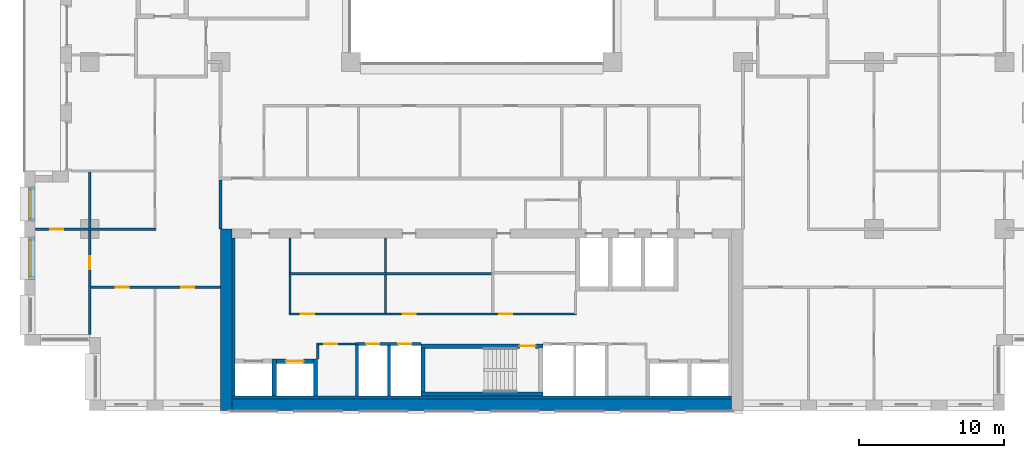
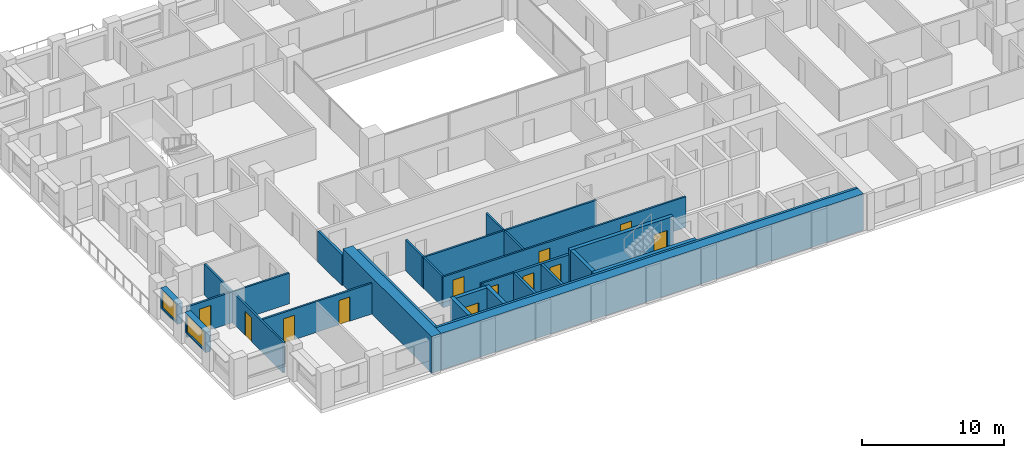
# One storey, part 8 of 17: 28 walls, 12 doors, 2 windows, 14 openings.
"""IFC4 building model written with IfcOpenShell, lengths in metres."""

from ifc_helpers import new_model, si_unit, direction, frame, frame_2d, origin, place, context, subcontext, project, spatial, rectangle, extrude, material, layer, layer_set, type_object, element, fill, save


model = new_model("IFC4")

# Units and contexts
model_context = context("Model", 3, precision=1e-05, world=origin(), true_north=direction((0.0, 1.0)))
body_context = subcontext(model_context, "Body", "Model", "MODEL_VIEW")
ifc_project = project(units=[si_unit("LENGTHUNIT", "METRE"), si_unit("AREAUNIT", "SQUARE_METRE"), si_unit("VOLUMEUNIT", "CUBIC_METRE"), si_unit("PLANEANGLEUNIT", "RADIAN"), si_unit("MASSUNIT", "GRAM", prefix="KILO")], contexts=[model_context])

# Site, building, storey
site_placement = place(None, origin())
site = spatial("IfcSite", under=ifc_project, at=site_placement, CompositionType="ELEMENT")
building_placement = place(site_placement, origin())
building = spatial("IfcBuilding", under=site, at=building_placement, Name="Brigalow Station Residences", CompositionType="ELEMENT")
storey_placement = place(building_placement, frame((0.0, 0.0, 127.64990234375)))
storey = spatial("IfcBuildingStorey", under=building, at=storey_placement, Name="L37", CompositionType="ELEMENT", Elevation=127.64990234375)

# Wall, opening, window
ifc_material_1 = material(Name="Clay brick masonry", Category="masonry")
ifc_layer_1 = layer(ifc_material_1, 0.449951171875)
ifc_layer_set_1 = layer_set([ifc_layer_1], Name="BRICK INFILL WALL 450")
wall_type_1 = type_object("IfcWallType", Name="BRICK INFILL WALL 450", PredefinedType="SOLIDWALL", material=ifc_layer_set_1)
wall_1_placement = place(storey_placement, frame((5.02490234375, 15.39990234375, 0.900146484375), z_axis=(0.0, 0.0, 1.0), x_axis=(0.0, -1.0, 0.0)))
wall_1 = element("IfcWall", 1, at=wall_1_placement, inside=storey, type_object=wall_type_1, Name="L37/ewall/W-L37-47", PredefinedType="SOLIDWALL", context=body_context, shape_type="SweptSolid", body=[
    extrude(rectangle(XDim=2.349853515625, YDim=0.449951171875, at=frame_2d((1.1748046875, 0.0))), origin(), (0.0, 0.0, 1.0), 1.75),
])
opening_1_placement = place(wall_1_placement, frame((0.175048828125, 0.0, 0.14990234375)))
opening_1 = element("IfcOpeningElement", 2, at=opening_1_placement, cuts=wall_1, Name="Opening WT-7", PredefinedType="OPENING", context=body_context, shape_type="SweptSolid", body=[
    extrude(rectangle(XDim=2.0, YDim=1.5, at=frame_2d((1.0, 0.75))), frame((0.0, 0.23486328125, 0.0), z_axis=(0.0, -1.0, 0.0), x_axis=(1.0, 0.0, 0.0)), (0.0, 0.0, 1.0), 0.469970703125),
])
ifc_material_2 = material(Name="Anodised aluminium frame with double glazing", Category="aluminium")
window_type_1 = type_object("IfcWindowType", Name="WINDOW 2000x1500", PartitioningType="SINGLE_PANEL", PredefinedType="WINDOW", material=ifc_material_2)
window_1_placement = place(opening_1_placement, origin())
window_1 = element("IfcWindow", 3, at=window_1_placement, inside=storey, type_object=window_type_1, Name="L37/window/W-L37-47", OverallHeight=1.5, OverallWidth=2.0, PartitioningType="SINGLE_PANEL", PredefinedType="WINDOW", context=body_context, shape_type="SweptSolid", body=[
    extrude(rectangle(XDim=2.0, YDim=1.5, at=frame_2d((1.0, 0.75))), frame((0.0, -0.06494140625, 0.0), z_axis=(0.0, -1.0, 0.0), x_axis=(1.0, 0.0, 0.0)), (0.0, 0.0, 1.0), 0.06005859375),
])
fill(opening_1, window_1)

wall_2_placement = place(storey_placement, frame((5.02490234375, 11.949951171875, 0.900146484375), z_axis=(0.0, 0.0, 1.0), x_axis=(0.0, -1.0, 0.0)))
wall_2 = element("IfcWall", 4, at=wall_2_placement, inside=storey, type_object=wall_type_1, Name="L37/ewall/W-L37-48", PredefinedType="SOLIDWALL", context=body_context, shape_type="SweptSolid", body=[
    extrude(rectangle(XDim=2.89990234375, YDim=0.449951171875, at=frame_2d((1.449951171875, 0.0))), origin(), (0.0, 0.0, 1.0), 1.75),
])
opening_2_placement = place(wall_2_placement, frame((0.199951171875, 0.0, 0.14990234375)))
opening_2 = element("IfcOpeningElement", 5, at=opening_2_placement, cuts=wall_2, Name="Opening WT-5", PredefinedType="OPENING", context=body_context, shape_type="SweptSolid", body=[
    extrude(rectangle(XDim=2.5, YDim=1.5, at=frame_2d((1.25, 0.75))), frame((0.0, 0.23486328125, 0.0), z_axis=(0.0, -1.0, 0.0), x_axis=(1.0, 0.0, 0.0)), (0.0, 0.0, 1.0), 0.469970703125),
])
ifc_material_3 = material(Name="Anodised aluminium frame with double glazing", Category="aluminium")
window_type_2 = type_object("IfcWindowType", Name="WINDOW 2500x1500", PartitioningType="SINGLE_PANEL", PredefinedType="WINDOW", material=ifc_material_3)
window_2_placement = place(opening_2_placement, origin())
window_2 = element("IfcWindow", 6, at=window_2_placement, inside=storey, type_object=window_type_2, Name="L37/window/W-L37-48", OverallHeight=1.5, OverallWidth=2.5, PartitioningType="SINGLE_PANEL", PredefinedType="WINDOW", context=body_context, shape_type="SweptSolid", body=[
    extrude(rectangle(XDim=2.5, YDim=1.5, at=frame_2d((1.25, 0.75))), frame((0.0, -0.06494140625, 0.0), z_axis=(0.0, -1.0, 0.0), x_axis=(1.0, 0.0, 0.0)), (0.0, 0.0, 1.0), 0.06005859375),
])
fill(opening_2, window_2)

# Walls
ifc_material_4 = material(Name="Concrete C65", Category="concrete")
ifc_layer_2 = layer(ifc_material_4, 0.199951171875)
ifc_layer_set_2 = layer_set([ifc_layer_2], Name="CORE SHEAR WALL 200 C65")
wall_type_2 = type_object("IfcWallType", Name="CORE SHEAR WALL 200 C65", PredefinedType="SHEAR", material=ifc_layer_set_2)
wall_3_placement = place(storey_placement, frame((18.89990234375, 1.0, 0.0), z_axis=(0.0, 0.0, 1.0), x_axis=(0.0, 1.0, 0.0)))
element("IfcWall", 7, at=wall_3_placement, inside=storey, type_object=wall_type_2, Name="CORE WALL LIN-W L37", PredefinedType="SHEAR", context=body_context, shape_type="SweptSolid", body=[
    extrude(rectangle(XDim=10.89990234375, YDim=0.199951171875, at=frame_2d((5.449951171875, 0.0))), origin(), (0.0, 0.0, 1.0), 3.150146484375),
])
wall_4_placement = place(storey_placement, frame((18.800048828125, 0.89990234375, 0.0), z_axis=(0.0, 0.0, 1.0), x_axis=(1.0, 0.0, 0.0)))
element("IfcWall", 8, at=wall_4_placement, inside=storey, type_object=wall_type_2, Name="CORE WALL LIN-S L37", PredefinedType="SHEAR", context=body_context, shape_type="SweptSolid", body=[
    extrude(rectangle(XDim=34.39990234375, YDim=0.199951171875, at=frame_2d((17.199951171875, 0.0))), origin(), (0.0, 0.0, 1.0), 3.150146484375),
])

# Wall, opening, door
ifc_material_5 = material(Name="Concrete C65", Category="concrete")
ifc_layer_3 = layer(ifc_material_5, 0.300048828125)
ifc_layer_set_3 = layer_set([ifc_layer_3], Name="CORE SHEAR WALL 300 C65")
wall_type_3 = type_object("IfcWallType", Name="CORE SHEAR WALL 300 C65", PredefinedType="SHEAR", material=ifc_layer_set_3)
wall_5_placement = place(storey_placement, frame((21.85009765625, 3.39990234375, 0.0), z_axis=(0.0, 0.0, 1.0), x_axis=(1.0, 0.0, 0.0)))
wall_5 = element("IfcWall", 9, at=wall_5_placement, inside=storey, type_object=wall_type_3, Name="CORE WALL SH-C2-N L37", PredefinedType="SHEAR", context=body_context, shape_type="SweptSolid", body=[
    extrude(rectangle(XDim=2.5498046875, YDim=0.300048828125, at=frame_2d((1.27490234375, 0.0))), origin(), (0.0, 0.0, 1.0), 3.150146484375),
])
opening_3_placement = place(wall_5_placement, frame((0.675048828125, 0.0, 0.0)))
opening_3 = element("IfcOpeningElement", 10, at=opening_3_placement, cuts=wall_5, Name="Opening LD-LB2", PredefinedType="OPENING", context=body_context, shape_type="SweptSolid", body=[
    extrude(rectangle(XDim=1.199951171875, YDim=2.10009765625, at=frame_2d((0.60009765625, 1.050048828125))), frame((0.0, 0.16015625, 0.0), z_axis=(0.0, -1.0, 0.0), x_axis=(1.0, 0.0, 0.0)), (0.0, 0.0, 1.0), 0.320068359375),
])
ifc_material_6 = material(Name="Stainless steel sliding door leaves", Category="steel")
door_type_1 = type_object("IfcDoorType", Name="LIFT LANDING DOOR 1200 x 2100", OperationType="DOUBLE_DOOR_SLIDING", PredefinedType="DOOR", material=ifc_material_6)
door_1_placement = place(opening_3_placement, origin())
door_1 = element("IfcDoor", 11, at=door_1_placement, inside=storey, type_object=door_type_1, Name="LANDING DOOR LB2", OperationType="DOUBLE_DOOR_SLIDING", OverallHeight=2.10009765625, OverallWidth=1.199951171875, PredefinedType="DOOR", context=body_context, shape_type="SweptSolid", body=[
    extrude(rectangle(XDim=1.199951171875, YDim=2.10009765625, at=frame_2d((0.60009765625, 1.050048828125))), frame((0.0, 0.02490234375, 0.0), z_axis=(0.0, -1.0, 0.0), x_axis=(1.0, 0.0, 0.0)), (0.0, 0.0, 1.0), 0.050048828125),
])
fill(opening_3, door_1)

# Walls
for number, where, z_axis, x_axis, name in (
    (12, (21.699951171875, 1.0, 0.0), (0.0, 0.0, 1.0), (0.0, 1.0, 0.0), "CORE WALL SH-C2-W L37"),
    (13, (24.550048828125, 1.0, 0.0), (0.0, 0.0, 1.0), (0.0, 1.0, 0.0), "CORE WALL SH-C2-E L37"),
):
    element("IfcWall", number, at=place(storey_placement, frame(where, z_axis=z_axis, x_axis=x_axis)), inside=storey, type_object=wall_type_3, Name=name, PredefinedType="SHEAR", context=body_context, shape_type="SweptSolid", body=[
        extrude(rectangle(XDim=2.550048828125, YDim=0.300048828125, at=frame_2d((1.27490234375, 0.0))), origin(), (0.0, 0.0, 1.0), 3.150146484375),
    ])
wall_6_placement = place(storey_placement, frame((31.800048828125, 1.14990234375, 0.0), z_axis=(0.0, 0.0, 1.0), x_axis=(1.0, 0.0, 0.0)))
element("IfcWall", 14, at=wall_6_placement, inside=storey, type_object=wall_type_3, Name="CORE WALL ST-S2-S L37", PredefinedType="SHEAR", context=body_context, shape_type="SweptSolid", body=[
    extrude(rectangle(XDim=8.39990234375, YDim=0.300048828125, at=frame_2d((4.199951171875, 0.0))), origin(), (0.0, 0.0, 1.0), 3.150146484375),
])

# Wall, opening, door
wall_7_placement = place(storey_placement, frame((31.800048828125, 4.449951171875, 0.0), z_axis=(0.0, 0.0, 1.0), x_axis=(1.0, 0.0, 0.0)))
wall_7 = element("IfcWall", 15, at=wall_7_placement, inside=storey, type_object=wall_type_3, Name="CORE WALL ST-S2-N L37", PredefinedType="SHEAR", context=body_context, shape_type="SweptSolid", body=[
    extrude(rectangle(XDim=8.39990234375, YDim=0.300048828125, at=frame_2d((4.199951171875, 0.0))), origin(), (0.0, 0.0, 1.0), 3.150146484375),
])
opening_4_placement = place(wall_7_placement, frame((6.800048828125, 0.0, 0.0)))
opening_4 = element("IfcOpeningElement", 16, at=opening_4_placement, cuts=wall_7, Name="Opening D-5001", PredefinedType="OPENING", context=body_context, shape_type="SweptSolid", body=[
    extrude(rectangle(XDim=1.10009765625, YDim=2.10009765625, at=frame_2d((0.550048828125, 1.050048828125))), frame((0.0, 0.16015625, 0.0), z_axis=(0.0, -1.0, 0.0), x_axis=(1.0, 0.0, 0.0)), (0.0, 0.0, 1.0), 0.320068359375),
])
ifc_material_7 = material(Name="Steel fire door leaf in steel frame", Category="steel")
door_type_2 = type_object("IfcDoorType", Name="STAIR DOOR 1100 x 2100 FD60S", OperationType="SINGLE_SWING_LEFT", PredefinedType="DOOR", material=ifc_material_7)
door_2_placement = place(opening_4_placement, frame((1.10009765625, 0.0, 0.0), z_axis=(0.0, 0.0, 1.0), x_axis=(-1.0, 0.0, 0.0)))
door_2 = element("IfcDoor", 17, at=door_2_placement, inside=storey, type_object=door_type_2, Name="D-5001", OperationType="SINGLE_SWING_LEFT", OverallHeight=2.10009765625, OverallWidth=1.10009765625, PredefinedType="DOOR", context=body_context, shape_type="SweptSolid", body=[
    extrude(rectangle(XDim=1.10009765625, YDim=2.10009765625, at=frame_2d((0.550048828125, 1.050048828125))), frame((0.0, 0.02490234375, 0.0), z_axis=(0.0, -1.0, 0.0), x_axis=(1.0, 0.0, 0.0)), (0.0, 0.0, 1.0), 0.050048828125),
])
fill(opening_4, door_2)

# Walls
wall_8_placement = place(storey_placement, frame((31.949951171875, 1.300048828125, 0.0), z_axis=(0.0, 0.0, 1.0), x_axis=(0.0, 1.0, 0.0)))
element("IfcWall", 18, at=wall_8_placement, inside=storey, type_object=wall_type_3, Name="CORE WALL ST-S2-W L37", PredefinedType="SHEAR", context=body_context, shape_type="SweptSolid", body=[
    extrude(rectangle(XDim=3.0, YDim=0.300048828125, at=frame_2d((1.5, 0.0))), origin(), (0.0, 0.0, 1.0), 3.150146484375),
])
ifc_material_8 = material(Name="Concrete C65", Category="concrete")
ifc_layer_4 = layer(ifc_material_8, 0.800048828125)
ifc_layer_set_4 = layer_set([ifc_layer_4], Name="CORE SHEAR WALL 800 C65")
wall_type_4 = type_object("IfcWallType", Name="CORE SHEAR WALL 800 C65", PredefinedType="SHEAR", material=ifc_layer_set_4)
wall_9_placement = place(storey_placement, frame((18.39990234375, 0.0, 0.0), z_axis=(0.0, 0.0, 1.0), x_axis=(0.0, 1.0, 0.0)))
element("IfcWall", 19, at=wall_9_placement, inside=storey, type_object=wall_type_4, Name="CORE WALL OUT-W L37", PredefinedType="SHEAR", context=body_context, shape_type="SweptSolid", body=[
    extrude(rectangle(XDim=12.5, YDim=0.800048828125, at=frame_2d((6.25, 0.0))), origin(), (0.0, 0.0, 1.0), 3.150146484375),
])
wall_10_placement = place(storey_placement, frame((18.800048828125, 0.39990234375, 0.0), z_axis=(0.0, 0.0, 1.0), x_axis=(1.0, 0.0, 0.0)))
element("IfcWall", 20, at=wall_10_placement, inside=storey, type_object=wall_type_4, Name="CORE WALL OUT-S L37", PredefinedType="SHEAR", context=body_context, shape_type="SweptSolid", body=[
    extrude(rectangle(XDim=34.39990234375, YDim=0.800048828125, at=frame_2d((17.199951171875, 0.0))), origin(), (0.0, 0.0, 1.0), 3.150146484375),
])

# Wall, openings, doors
ifc_material_9 = material(Name="Concrete blockwork", Category="masonry")
ifc_layer_5 = layer(ifc_material_9, 0.199951171875)
ifc_layer_set_5 = layer_set([ifc_layer_5], Name="FIRE RATED CORE PARTITION 200")
wall_type_5 = type_object("IfcWallType", Name="FIRE RATED CORE PARTITION 200", PredefinedType="PARTITIONING", material=ifc_layer_set_5)
wall_11_placement = place(storey_placement, frame((27.300048828125, 4.60009765625, 0.0), z_axis=(0.0, 0.0, 1.0), x_axis=(1.0, 0.0, 0.0)))
wall_11 = element("IfcWall", 21, at=wall_11_placement, inside=storey, type_object=wall_type_5, Name="PW-5017", PredefinedType="PARTITIONING", context=body_context, shape_type="SweptSolid", body=[
    extrude(rectangle(XDim=4.5, YDim=0.199951171875, at=frame_2d((2.25, 0.0))), origin(), (0.0, 0.0, 1.0), 2.650146484375),
])
opening_5_placement = place(wall_11_placement, frame((0.75, 0.0, 0.0)))
opening_5 = element("IfcOpeningElement", 22, at=opening_5_placement, cuts=wall_11, Name="Opening D-5007", PredefinedType="OPENING", context=body_context, shape_type="SweptSolid", body=[
    extrude(rectangle(XDim=0.89990234375, YDim=2.10009765625, at=frame_2d((0.449951171875, 1.050048828125))), frame((0.0, 0.10986328125, 0.0), z_axis=(0.0, -1.0, 0.0), x_axis=(1.0, 0.0, 0.0)), (0.0, 0.0, 1.0), 0.219970703125),
])
opening_6_placement = place(wall_11_placement, frame((2.949951171875, 0.0, 0.0)))
opening_6 = element("IfcOpeningElement", 23, at=opening_6_placement, cuts=wall_11, Name="Opening D-5008", PredefinedType="OPENING", context=body_context, shape_type="SweptSolid", body=[
    extrude(rectangle(XDim=0.89990234375, YDim=2.10009765625, at=frame_2d((0.449951171875, 1.050048828125))), frame((0.0, 0.10986328125, 0.0), z_axis=(0.0, -1.0, 0.0), x_axis=(1.0, 0.0, 0.0)), (0.0, 0.0, 1.0), 0.219970703125),
])
ifc_material_10 = material(Name="Steel fire door leaf in steel frame", Category="steel")
door_type_3 = type_object("IfcDoorType", Name="RISER ACCESS DOOR 900 x 2100 FD120", OperationType="SINGLE_SWING_LEFT", PredefinedType="DOOR", material=ifc_material_10)
door_3_placement = place(opening_5_placement, frame((0.89990234375, 0.0, 0.0), z_axis=(0.0, 0.0, 1.0), x_axis=(-1.0, 0.0, 0.0)))
door_3 = element("IfcDoor", 24, at=door_3_placement, inside=storey, type_object=door_type_3, Name="D-5007", OperationType="SINGLE_SWING_RIGHT", OverallHeight=2.10009765625, OverallWidth=0.89990234375, PredefinedType="DOOR", context=body_context, shape_type="SweptSolid", body=[
    extrude(rectangle(XDim=0.89990234375, YDim=2.10009765625, at=frame_2d((0.449951171875, 1.050048828125))), frame((0.0, 0.02490234375, 0.0), z_axis=(0.0, -1.0, 0.0), x_axis=(1.0, 0.0, 0.0)), (0.0, 0.0, 1.0), 0.050048828125),
])
fill(opening_5, door_3)
door_4_placement = place(opening_6_placement, frame((0.89990234375, 0.0, 0.0), z_axis=(0.0, 0.0, 1.0), x_axis=(-1.0, 0.0, 0.0)))
door_4 = element("IfcDoor", 25, at=door_4_placement, inside=storey, type_object=door_type_3, Name="D-5008", OperationType="SINGLE_SWING_RIGHT", OverallHeight=2.10009765625, OverallWidth=0.89990234375, PredefinedType="DOOR", context=body_context, shape_type="SweptSolid", body=[
    extrude(rectangle(XDim=0.89990234375, YDim=2.10009765625, at=frame_2d((0.449951171875, 1.050048828125))), frame((0.0, 0.02490234375, 0.0), z_axis=(0.0, -1.0, 0.0), x_axis=(1.0, 0.0, 0.0)), (0.0, 0.0, 1.0), 0.050048828125),
])
fill(opening_6, door_4)

# Walls
wall_12_placement = place(storey_placement, frame((27.39990234375, 1.0, 0.0), z_axis=(0.0, 0.0, 1.0), x_axis=(0.0, 1.0, 0.0)))
element("IfcWall", 26, at=wall_12_placement, inside=storey, type_object=wall_type_5, Name="PW-5027", PredefinedType="PARTITIONING", context=body_context, shape_type="SweptSolid", body=[
    extrude(rectangle(XDim=3.52490234375, YDim=0.199951171875, at=frame_2d((1.762451171875, 0.0))), origin(), (0.0, 0.0, 1.0), 2.650146484375),
])
wall_13_placement = place(storey_placement, frame((29.60009765625, 1.0, 0.0), z_axis=(0.0, 0.0, 1.0), x_axis=(0.0, 1.0, 0.0)))
element("IfcWall", 27, at=wall_13_placement, inside=storey, type_object=wall_type_5, Name="PW-5006", PredefinedType="PARTITIONING", context=body_context, shape_type="SweptSolid", body=[
    extrude(rectangle(XDim=3.5, YDim=0.199951171875, at=frame_2d((1.75, 0.0))), origin(), (0.0, 0.0, 1.0), 2.650146484375),
])
wall_14_placement = place(storey_placement, frame((18.0, 12.5, 0.0), z_axis=(0.0, 0.0, 1.0), x_axis=(0.0, 1.0, 0.0)))
element("IfcWall", 28, at=wall_14_placement, inside=storey, type_object=wall_type_5, Name="PW-5013", PredefinedType="PARTITIONING", context=body_context, shape_type="SweptSolid", body=[
    extrude(rectangle(XDim=3.39990234375, YDim=0.199951171875, at=frame_2d((1.699951171875, 0.0))), origin(), (0.0, 0.0, 1.0), 2.650146484375),
])

# Wall, opening, door
ifc_material_11 = material(Name="Plasterboard on steel stud partition", Category="steel")
ifc_layer_6 = layer(ifc_material_11, 0.14990234375)
ifc_layer_set_6 = layer_set([ifc_layer_6], Name="FLAT PARTITION 150")
wall_type_6 = type_object("IfcWallType", Name="FLAT PARTITION 150", PredefinedType="PARTITIONING", material=ifc_layer_set_6)
wall_15_placement = place(storey_placement, frame((5.25, 12.5, 0.0), z_axis=(0.0, 0.0, 1.0), x_axis=(1.0, 0.0, 0.0)))
wall_15 = element("IfcWall", 29, at=wall_15_placement, inside=storey, type_object=wall_type_6, Name="PW-2F10", PredefinedType="PARTITIONING", context=body_context, shape_type="SweptSolid", body=[
    extrude(rectangle(XDim=8.324951171875, YDim=0.14990234375, at=frame_2d((4.16259765625, 0.0))), origin(), (0.0, 0.0, 1.0), 2.650146484375),
])
opening_7_placement = place(wall_15_placement, frame((1.02490234375, 0.0, 0.0)))
opening_7 = element("IfcOpeningElement", 30, at=opening_7_placement, cuts=wall_15, Name="Opening D-2F05", PredefinedType="OPENING", context=body_context, shape_type="SweptSolid", body=[
    extrude(rectangle(XDim=0.89990234375, YDim=2.10009765625, at=frame_2d((0.449951171875, 1.050048828125))), frame((0.0, 0.0849609375, 0.0), z_axis=(0.0, -1.0, 0.0), x_axis=(1.0, 0.0, 0.0)), (0.0, 0.0, 1.0), 0.169921875),
])
ifc_material_12 = material(Name="Solid-core timber door leaf", Category="wood")
door_type_4 = type_object("IfcDoorType", Name="INTERNAL DOOR 900 x 2100", OperationType="SINGLE_SWING_LEFT", PredefinedType="DOOR", material=ifc_material_12)
door_5_placement = place(opening_7_placement, origin())
door_5 = element("IfcDoor", 31, at=door_5_placement, inside=storey, type_object=door_type_4, Name="D-2F05", OperationType="SINGLE_SWING_LEFT", OverallHeight=2.10009765625, OverallWidth=0.89990234375, PredefinedType="DOOR", context=body_context, shape_type="SweptSolid", body=[
    extrude(rectangle(XDim=0.89990234375, YDim=2.10009765625, at=frame_2d((0.449951171875, 1.050048828125))), frame((0.0, 0.02490234375, 0.0), z_axis=(0.0, -1.0, 0.0), x_axis=(1.0, 0.0, 0.0)), (0.0, 0.0, 1.0), 0.050048828125),
])
fill(opening_7, door_5)

# Wall, openings, doors
wall_16_placement = place(storey_placement, frame((9.074951171875, 8.5, 0.0), z_axis=(0.0, 0.0, 1.0), x_axis=(1.0, 0.0, 0.0)))
wall_16 = element("IfcWall", 32, at=wall_16_placement, inside=storey, type_object=wall_type_6, Name="PW-2F15", PredefinedType="PARTITIONING", context=body_context, shape_type="SweptSolid", body=[
    extrude(rectangle(XDim=8.925048828125, YDim=0.14990234375, at=frame_2d((4.46240234375, 0.0))), origin(), (0.0, 0.0, 1.0), 2.650146484375),
])
opening_8_placement = place(wall_16_placement, frame((1.72509765625, 0.0, 0.0)))
opening_8 = element("IfcOpeningElement", 33, at=opening_8_placement, cuts=wall_16, Name="Opening D-2F06", PredefinedType="OPENING", context=body_context, shape_type="SweptSolid", body=[
    extrude(rectangle(XDim=0.89990234375, YDim=2.10009765625, at=frame_2d((0.449951171875, 1.050048828125))), frame((0.0, 0.0849609375, 0.0), z_axis=(0.0, -1.0, 0.0), x_axis=(1.0, 0.0, 0.0)), (0.0, 0.0, 1.0), 0.169921875),
])
opening_9_placement = place(wall_16_placement, frame((6.22509765625, 0.0, 0.0)))
opening_9 = element("IfcOpeningElement", 34, at=opening_9_placement, cuts=wall_16, Name="Opening D-2F07", PredefinedType="OPENING", context=body_context, shape_type="SweptSolid", body=[
    extrude(rectangle(XDim=0.89990234375, YDim=2.10009765625, at=frame_2d((0.449951171875, 1.050048828125))), frame((0.0, 0.0849609375, 0.0), z_axis=(0.0, -1.0, 0.0), x_axis=(1.0, 0.0, 0.0)), (0.0, 0.0, 1.0), 0.169921875),
])
door_6_placement = place(opening_8_placement, frame((0.89990234375, 0.0, 0.0), z_axis=(0.0, 0.0, 1.0), x_axis=(-1.0, 0.0, 0.0)))
door_6 = element("IfcDoor", 35, at=door_6_placement, inside=storey, type_object=door_type_4, Name="D-2F06", OperationType="SINGLE_SWING_LEFT", OverallHeight=2.10009765625, OverallWidth=0.89990234375, PredefinedType="DOOR", context=body_context, shape_type="SweptSolid", body=[
    extrude(rectangle(XDim=0.89990234375, YDim=2.10009765625, at=frame_2d((0.449951171875, 1.050048828125))), frame((0.0, 0.02490234375, 0.0), z_axis=(0.0, -1.0, 0.0), x_axis=(1.0, 0.0, 0.0)), (0.0, 0.0, 1.0), 0.050048828125),
])
fill(opening_8, door_6)
door_7_placement = place(opening_9_placement, frame((0.89990234375, 0.0, 0.0), z_axis=(0.0, 0.0, 1.0), x_axis=(-1.0, 0.0, 0.0)))
door_7 = element("IfcDoor", 36, at=door_7_placement, inside=storey, type_object=door_type_4, Name="D-2F07", OperationType="SINGLE_SWING_RIGHT", OverallHeight=2.10009765625, OverallWidth=0.89990234375, PredefinedType="DOOR", context=body_context, shape_type="SweptSolid", body=[
    extrude(rectangle(XDim=0.89990234375, YDim=2.10009765625, at=frame_2d((0.449951171875, 1.050048828125))), frame((0.0, 0.02490234375, 0.0), z_axis=(0.0, -1.0, 0.0), x_axis=(1.0, 0.0, 0.0)), (0.0, 0.0, 1.0), 0.050048828125),
])
fill(opening_9, door_7)

# Wall, opening, door
wall_17_placement = place(storey_placement, frame((9.0, 5.25, 0.0), z_axis=(0.0, 0.0, 1.0), x_axis=(0.0, 1.0, 0.0)))
wall_17 = element("IfcWall", 37, at=wall_17_placement, inside=storey, type_object=wall_type_6, Name="PW-2F48", PredefinedType="PARTITIONING", context=body_context, shape_type="SweptSolid", body=[
    extrude(rectangle(XDim=7.175048828125, YDim=0.14990234375, at=frame_2d((3.58740234375, 0.0))), origin(), (0.0, 0.0, 1.0), 2.650146484375),
])
opening_10_placement = place(wall_17_placement, frame((4.47509765625, 0.0, 0.0)))
opening_10 = element("IfcOpeningElement", 38, at=opening_10_placement, cuts=wall_17, Name="Opening D-2F04", PredefinedType="OPENING", context=body_context, shape_type="SweptSolid", body=[
    extrude(rectangle(XDim=0.89990234375, YDim=2.10009765625, at=frame_2d((0.449951171875, 1.050048828125))), frame((0.0, 0.0849609375, 0.0), z_axis=(0.0, -1.0, 0.0), x_axis=(1.0, 0.0, 0.0)), (0.0, 0.0, 1.0), 0.169921875),
])
door_8_placement = place(opening_10_placement, origin())
door_8 = element("IfcDoor", 39, at=door_8_placement, inside=storey, type_object=door_type_4, Name="D-2F04", OperationType="SINGLE_SWING_RIGHT", OverallHeight=2.10009765625, OverallWidth=0.89990234375, PredefinedType="DOOR", context=body_context, shape_type="SweptSolid", body=[
    extrude(rectangle(XDim=0.89990234375, YDim=2.10009765625, at=frame_2d((0.449951171875, 1.050048828125))), frame((0.0, 0.02490234375, 0.0), z_axis=(0.0, -1.0, 0.0), x_axis=(1.0, 0.0, 0.0)), (0.0, 0.0, 1.0), 0.050048828125),
])
fill(opening_10, door_8)

# Wall
wall_18_placement = place(storey_placement, frame((9.0, 12.574951171875, 0.0), z_axis=(0.0, 0.0, 1.0), x_axis=(0.0, 1.0, 0.0)))
element("IfcWall", 40, at=wall_18_placement, inside=storey, type_object=wall_type_6, Name="PW-2F49", PredefinedType="PARTITIONING", context=body_context, shape_type="SweptSolid", body=[
    extrude(rectangle(XDim=3.85009765625, YDim=0.14990234375, at=frame_2d((1.925048828125, 0.0))), origin(), (0.0, 0.0, 1.0), 2.650146484375),
])

# Wall, opening, door
ifc_material_13 = material(Name="Plasterboard on steel studs", Category="steel")
ifc_layer_7 = layer(ifc_material_13, 0.14990234375)
ifc_layer_set_7 = layer_set([ifc_layer_7], Name="SERVICE ROOM PARTITION 150")
wall_type_7 = type_object("IfcWallType", Name="SERVICE ROOM PARTITION 150", PredefinedType="PARTITIONING", material=ifc_layer_set_7)
wall_19_placement = place(storey_placement, frame((24.625, 4.60009765625, 0.0), z_axis=(0.0, 0.0, 1.0), x_axis=(1.0, 0.0, 0.0)))
wall_19 = element("IfcWall", 41, at=wall_19_placement, inside=storey, type_object=wall_type_7, Name="PW-5155", PredefinedType="PARTITIONING", context=body_context, shape_type="SweptSolid", body=[
    extrude(rectangle(XDim=2.675048828125, YDim=0.14990234375, at=frame_2d((1.33740234375, 0.0))), origin(), (0.0, 0.0, 1.0), 2.650146484375),
])
opening_11_placement = place(wall_19_placement, frame((0.52490234375, 0.0, 0.0)))
opening_11 = element("IfcOpeningElement", 42, at=opening_11_placement, cuts=wall_19, Name="Opening D-5087", PredefinedType="OPENING", context=body_context, shape_type="SweptSolid", body=[
    extrude(rectangle(XDim=0.89990234375, YDim=2.10009765625, at=frame_2d((0.449951171875, 1.050048828125))), frame((0.0, 0.0849609375, 0.0), z_axis=(0.0, -1.0, 0.0), x_axis=(1.0, 0.0, 0.0)), (0.0, 0.0, 1.0), 0.169921875),
])
ifc_material_14 = material(Name="Steel door leaf in steel frame", Category="steel")
door_type_5 = type_object("IfcDoorType", Name="SERVICE ROOM DOOR 900 x 2100 FD60", OperationType="SINGLE_SWING_LEFT", PredefinedType="DOOR", material=ifc_material_14)
door_9_placement = place(opening_11_placement, frame((0.89990234375, 0.0, 0.0), z_axis=(0.0, 0.0, 1.0), x_axis=(-1.0, 0.0, 0.0)))
door_9 = element("IfcDoor", 43, at=door_9_placement, inside=storey, type_object=door_type_5, Name="D-5087", OperationType="SINGLE_SWING_RIGHT", OverallHeight=2.10009765625, OverallWidth=0.89990234375, PredefinedType="DOOR", context=body_context, shape_type="SweptSolid", body=[
    extrude(rectangle(XDim=0.89990234375, YDim=2.10009765625, at=frame_2d((0.449951171875, 1.050048828125))), frame((0.0, 0.02490234375, 0.0), z_axis=(0.0, -1.0, 0.0), x_axis=(1.0, 0.0, 0.0)), (0.0, 0.0, 1.0), 0.050048828125),
])
fill(opening_11, door_9)

# Wall, openings, doors
wall_20_placement = place(storey_placement, frame((22.72509765625, 6.64990234375, 0.0), z_axis=(0.0, 0.0, 1.0), x_axis=(1.0, 0.0, 0.0)))
wall_20 = element("IfcWall", 44, at=wall_20_placement, inside=storey, type_object=wall_type_7, Name="PW-5195", PredefinedType="PARTITIONING", context=body_context, shape_type="SweptSolid", body=[
    extrude(rectangle(XDim=19.7998046875, YDim=0.14990234375, at=frame_2d((9.89990234375, 0.0))), origin(), (0.0, 0.0, 1.0), 2.650146484375),
])
opening_12_placement = place(wall_20_placement, frame((0.824951171875, 0.0, 0.0)))
opening_12 = element("IfcOpeningElement", 45, at=opening_12_placement, cuts=wall_20, Name="Opening D-5110", PredefinedType="OPENING", context=body_context, shape_type="SweptSolid", body=[
    extrude(rectangle(XDim=0.89990234375, YDim=2.10009765625, at=frame_2d((0.449951171875, 1.050048828125))), frame((0.0, 0.0849609375, 0.0), z_axis=(0.0, -1.0, 0.0), x_axis=(1.0, 0.0, 0.0)), (0.0, 0.0, 1.0), 0.169921875),
])
opening_13_placement = place(wall_20_placement, frame((7.824951171875, 0.0, 0.0)))
opening_13 = element("IfcOpeningElement", 46, at=opening_13_placement, cuts=wall_20, Name="Opening D-5123", PredefinedType="OPENING", context=body_context, shape_type="SweptSolid", body=[
    extrude(rectangle(XDim=0.89990234375, YDim=2.10009765625, at=frame_2d((0.449951171875, 1.050048828125))), frame((0.0, 0.0849609375, 0.0), z_axis=(0.0, -1.0, 0.0), x_axis=(1.0, 0.0, 0.0)), (0.0, 0.0, 1.0), 0.169921875),
])
opening_14_placement = place(wall_20_placement, frame((14.47509765625, 0.0, 0.0)))
opening_14 = element("IfcOpeningElement", 47, at=opening_14_placement, cuts=wall_20, Name="Opening D-5114", PredefinedType="OPENING", context=body_context, shape_type="SweptSolid", body=[
    extrude(rectangle(XDim=0.89990234375, YDim=2.10009765625, at=frame_2d((0.449951171875, 1.050048828125))), frame((0.0, 0.0849609375, 0.0), z_axis=(0.0, -1.0, 0.0), x_axis=(1.0, 0.0, 0.0)), (0.0, 0.0, 1.0), 0.169921875),
])
door_10_placement = place(opening_12_placement, origin())
door_10 = element("IfcDoor", 48, at=door_10_placement, inside=storey, type_object=door_type_5, Name="D-5110", OperationType="SINGLE_SWING_LEFT", OverallHeight=2.10009765625, OverallWidth=0.89990234375, PredefinedType="DOOR", context=body_context, shape_type="SweptSolid", body=[
    extrude(rectangle(XDim=0.89990234375, YDim=2.10009765625, at=frame_2d((0.449951171875, 1.050048828125))), frame((0.0, 0.02490234375, 0.0), z_axis=(0.0, -1.0, 0.0), x_axis=(1.0, 0.0, 0.0)), (0.0, 0.0, 1.0), 0.050048828125),
])
fill(opening_12, door_10)
door_11_placement = place(opening_13_placement, origin())
door_11 = element("IfcDoor", 49, at=door_11_placement, inside=storey, type_object=door_type_5, Name="D-5123", OperationType="SINGLE_SWING_LEFT", OverallHeight=2.10009765625, OverallWidth=0.89990234375, PredefinedType="DOOR", context=body_context, shape_type="SweptSolid", body=[
    extrude(rectangle(XDim=0.89990234375, YDim=2.10009765625, at=frame_2d((0.449951171875, 1.050048828125))), frame((0.0, 0.02490234375, 0.0), z_axis=(0.0, -1.0, 0.0), x_axis=(1.0, 0.0, 0.0)), (0.0, 0.0, 1.0), 0.050048828125),
])
fill(opening_13, door_11)
door_12_placement = place(opening_14_placement, origin())
door_12 = element("IfcDoor", 50, at=door_12_placement, inside=storey, type_object=door_type_5, Name="D-5114", OperationType="SINGLE_SWING_LEFT", OverallHeight=2.10009765625, OverallWidth=0.89990234375, PredefinedType="DOOR", context=body_context, shape_type="SweptSolid", body=[
    extrude(rectangle(XDim=0.89990234375, YDim=2.10009765625, at=frame_2d((0.449951171875, 1.050048828125))), frame((0.0, 0.02490234375, 0.0), z_axis=(0.0, -1.0, 0.0), x_axis=(1.0, 0.0, 0.0)), (0.0, 0.0, 1.0), 0.050048828125),
])
fill(opening_14, door_12)

# Walls
wall_21_placement = place(storey_placement, frame((22.72509765625, 9.429931640625, 0.0), z_axis=(0.0, 0.0, 1.0), x_axis=(1.0, 0.0, 0.0)))
element("IfcWall", 51, at=wall_21_placement, inside=storey, type_object=wall_type_7, Name="PW-5236", PredefinedType="PARTITIONING", context=body_context, shape_type="SweptSolid", body=[
    extrude(rectangle(XDim=14.099853515625, YDim=0.14990234375, at=frame_2d((7.0498046875, 0.0))), origin(), (0.0, 0.0, 1.0), 2.650146484375),
])
wall_22_placement = place(storey_placement, frame((24.699951171875, 3.550048828125, 0.0), z_axis=(0.0, 0.0, 1.0), x_axis=(0.0, 1.0, 0.0)))
element("IfcWall", 52, at=wall_22_placement, inside=storey, type_object=wall_type_7, Name="PW-5157", PredefinedType="PARTITIONING", context=body_context, shape_type="SweptSolid", body=[
    extrude(rectangle(XDim=0.974853515625, YDim=0.14990234375, at=frame_2d((0.4873046875, 0.0))), origin(), (0.0, 0.0, 1.0), 2.650146484375),
])
for number, where, z_axis, x_axis, name in (
    (53, (22.800048828125, 6.72509765625, 0.0), (0.0, 0.0, 1.0), (0.0, 1.0, 0.0), "PW-5237"),
    (54, (29.3701171875, 6.72509765625, 0.0), (0.0, 0.0, 1.0), (0.0, 1.0, 0.0), "PW-5238"),
):
    element("IfcWall", number, at=place(storey_placement, frame(where, z_axis=z_axis, x_axis=x_axis)), inside=storey, type_object=wall_type_7, Name=name, PredefinedType="PARTITIONING", context=body_context, shape_type="SweptSolid", body=[
        extrude(rectangle(XDim=2.6298828125, YDim=0.14990234375, at=frame_2d((1.31494140625, 0.0))), origin(), (0.0, 0.0, 1.0), 2.650146484375),
    ])
for number, where, z_axis, x_axis, name in (
    (55, (22.800048828125, 9.5048828125, 0.0), (0.0, 0.0, 1.0), (0.0, 1.0, 0.0), "PW-5240"),
    (56, (29.3701171875, 9.5048828125, 0.0), (0.0, 0.0, 1.0), (0.0, 1.0, 0.0), "PW-5241"),
):
    element("IfcWall", number, at=place(storey_placement, frame(where, z_axis=z_axis, x_axis=x_axis)), inside=storey, type_object=wall_type_7, Name=name, PredefinedType="PARTITIONING", context=body_context, shape_type="SweptSolid", body=[
        extrude(rectangle(XDim=2.39501953125, YDim=0.14990234375, at=frame_2d((1.197509765625, 0.0))), origin(), (0.0, 0.0, 1.0), 2.650146484375),
    ])

save(model, "model.ifc")
